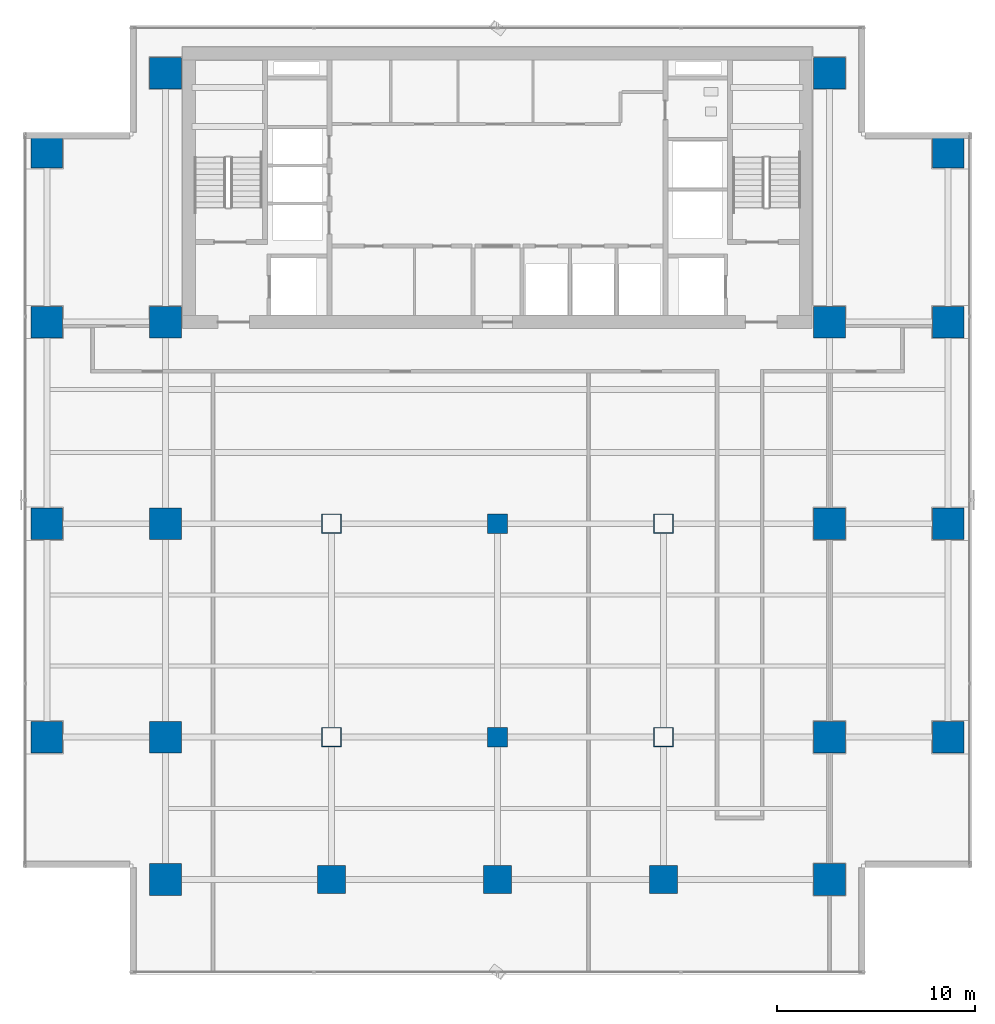
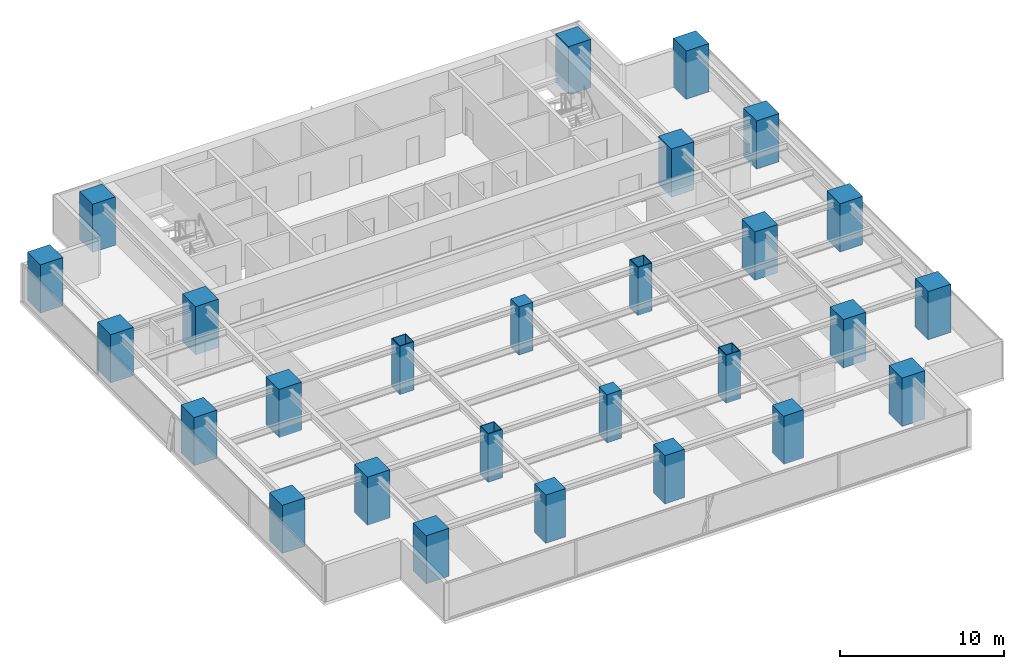
# One storey, part 1 of 27: 27 columns.
"""IFC4 building model written with IfcOpenShell, lengths in metres."""

from ifc_helpers import new_model, si_unit, direction, frame, origin, origin_2d, place, context, subcontext, project, spatial, rectangle, hollow_rectangle, extrude, source, transform, mapped, material, material_profile, profile_set, type_object, element, save


model = new_model("IFC4")

# Units and contexts
model_context = context("Model", 3, precision=1e-05, world=origin(), true_north=direction((0.0, 1.0)))
body_context = subcontext(model_context, "Body", "Model", "MODEL_VIEW")
ifc_project = project(units=[si_unit("LENGTHUNIT", "METRE"), si_unit("AREAUNIT", "SQUARE_METRE"), si_unit("VOLUMEUNIT", "CUBIC_METRE"), si_unit("PLANEANGLEUNIT", "RADIAN"), si_unit("MASSUNIT", "GRAM", prefix="KILO")], contexts=[model_context])

# Site, building, storey
site_placement = place(None, origin())
site = spatial("IfcSite", under=ifc_project, at=site_placement, CompositionType="ELEMENT")
building_placement = place(site_placement, origin())
building = spatial("IfcBuilding", under=site, at=building_placement, Name="Sumidabori Civic Tower", CompositionType="ELEMENT")
storey_placement = place(building_placement, frame((0.0, 0.0, 156.800048828125)))
storey = spatial("IfcBuildingStorey", under=building, at=storey_placement, Name="L40", CompositionType="ELEMENT", Elevation=156.800048828125)

# Columns
ifc_material_1 = material(Name="Concrete C60/75", Category="concrete")
ifc_material_profile_1 = material_profile(ifc_material_1, rectangle(XDim=1.60009765625, YDim=1.60009765625, at=origin_2d()), Name="RC 1600x1600")
ifc_profile_set_1 = profile_set([ifc_material_profile_1], Name="Concrete C60/75")
column_type_1 = type_object("IfcColumnType", Name="CL-MEGA-1600", PredefinedType="COLUMN", material=ifc_profile_set_1)
shared_shape_1 = source(origin(), body_context, "Body", "SweptSolid", [
    extrude(rectangle(XDim=1.60009765625, YDim=1.60009765625, at=origin_2d()), origin(), (0.0, 0.0, 1.0), 3.599853515625),
])
for number, where, z_axis, x_axis, name in (
    (1, (-16.800048828125, -18.0, 0.0), (0.0, 0.0, 1.0), (1.0, 0.0, 0.0), "Column MC-W16-Y18S L40"),
    (2, (-16.800048828125, -10.800048828125, 0.0), (0.0, 0.0, 1.0), (1.0, 0.0, 0.0), "Column MC-W16-Y11S L40"),
    (3, (-16.800048828125, 0.0, 0.0), (0.0, 0.0, 1.0), (1.0, 0.0, 0.0), "Column MC-W16-Y00 L40"),
    (4, (-16.800048828125, 10.199951171875, 0.0), (0.0, 0.0, 1.0), (1.0, 0.0, 0.0), "Column MC-W16-Y10N L40"),
    (5, (-16.800048828125, 22.800048828125, 0.0), (0.0, 0.0, 1.0), (1.0, 0.0, 0.0), "Column MC-W16-Y23N L40"),
    (6, (16.800048828125, -18.0, 0.0), (0.0, 0.0, 1.0), (1.0, 0.0, 0.0), "Column MC-E16-Y18S L40"),
    (7, (16.800048828125, -10.800048828125, 0.0), (0.0, 0.0, 1.0), (1.0, 0.0, 0.0), "Column MC-E16-Y11S L40"),
    (8, (16.800048828125, 0.0, 0.0), (0.0, 0.0, 1.0), (1.0, 0.0, 0.0), "Column MC-E16-Y00 L40"),
    (9, (16.800048828125, 10.199951171875, 0.0), (0.0, 0.0, 1.0), (1.0, 0.0, 0.0), "Column MC-E16-Y10N L40"),
    (10, (16.800048828125, 22.800048828125, 0.0), (0.0, 0.0, 1.0), (1.0, 0.0, 0.0), "Column MC-E16-Y23N L40"),
    (11, (-22.800048828125, -10.800048828125, 0.0), (0.0, 0.0, 1.0), (1.0, 0.0, 0.0), "Column MC-W23-Y11S L40"),
    (12, (-22.800048828125, 0.0, 0.0), (0.0, 0.0, 1.0), (1.0, 0.0, 0.0), "Column MC-W23-Y00 L40"),
    (13, (-22.800048828125, 10.199951171875, 0.0), (0.0, 0.0, 1.0), (1.0, 0.0, 0.0), "Column MC-W23-Y10N L40"),
    (14, (-22.800048828125, 18.800048828125, 0.0), (0.0, 0.0, 1.0), (1.0, 0.0, 0.0), "Column MC-W23-Y19N L40"),
    (15, (22.800048828125, -10.800048828125, 0.0), (0.0, 0.0, 1.0), (1.0, 0.0, 0.0), "Column MC-E23-Y11S L40"),
    (16, (22.800048828125, 0.0, 0.0), (0.0, 0.0, 1.0), (1.0, 0.0, 0.0), "Column MC-E23-Y00 L40"),
    (17, (22.800048828125, 10.199951171875, 0.0), (0.0, 0.0, 1.0), (1.0, 0.0, 0.0), "Column MC-E23-Y10N L40"),
    (18, (22.800048828125, 18.800048828125, 0.0), (0.0, 0.0, 1.0), (1.0, 0.0, 0.0), "Column MC-E23-Y19N L40"),
):
    element("IfcColumn", number, at=place(storey_placement, frame(where, z_axis=z_axis, x_axis=x_axis)), inside=storey, type_object=column_type_1, Name=name, PredefinedType="COLUMN", context=body_context, shape_type="MappedRepresentation", body=[
        mapped(shared_shape_1, transform((0.0, 0.0, 0.0), x_axis=(1.0, 0.0, 0.0), y_axis=(0.0, 1.0, 0.0), z_axis=(0.0, 0.0, 1.0), scale=1.0)),
    ])
ifc_material_2 = material(Name="Steel SM570", Category="steel")
ifc_material_profile_2 = material_profile(ifc_material_2, hollow_rectangle(XDim=1.0, YDim=1.0, WallThickness=0.044921875, at=origin_2d()), Name="SHS 1000x1000x45")
ifc_profile_set_2 = profile_set([ifc_material_profile_2], Name="Steel SM570")
column_type_2 = type_object("IfcColumnType", Name="CL-PORTAL-SHS1000", PredefinedType="COLUMN", material=ifc_profile_set_2)
shared_shape_2 = source(origin(), body_context, "Body", "SweptSolid", [
    extrude(hollow_rectangle(XDim=1.0, YDim=1.0, WallThickness=0.044921875, at=origin_2d()), origin(), (0.0, 0.0, 1.0), 3.599853515625),
])
for number, where, z_axis, x_axis, name in (
    (19, (-8.39990234375, 0.0, 0.0), (0.0, 0.0, 1.0), (1.0, 0.0, 0.0), "Column MC-W08-Y00 L40"),
    (20, (-8.39990234375, -10.800048828125, 0.0), (0.0, 0.0, 1.0), (1.0, 0.0, 0.0), "Column MC-W08-Y11S L40"),
    (21, (8.39990234375, 0.0, 0.0), (0.0, 0.0, 1.0), (1.0, 0.0, 0.0), "Column MC-E08-Y00 L40"),
    (22, (8.39990234375, -10.800048828125, 0.0), (0.0, 0.0, 1.0), (1.0, 0.0, 0.0), "Column MC-E08-Y11S L40"),
):
    element("IfcColumn", number, at=place(storey_placement, frame(where, z_axis=z_axis, x_axis=x_axis)), inside=storey, type_object=column_type_2, Name=name, PredefinedType="COLUMN", context=body_context, shape_type="MappedRepresentation", body=[
        mapped(shared_shape_2, transform((0.0, 0.0, 0.0), x_axis=(1.0, 0.0, 0.0), y_axis=(0.0, 1.0, 0.0), z_axis=(0.0, 0.0, 1.0), scale=1.0)),
    ])
ifc_material_profile_3 = material_profile(ifc_material_1, rectangle(XDim=1.39990234375, YDim=1.39990234375, at=origin_2d()), Name="RC 1400x1400")
ifc_profile_set_3 = profile_set([ifc_material_profile_3], Name="Concrete C60/75")
column_type_3 = type_object("IfcColumnType", Name="CL-MEGA-1400", PredefinedType="COLUMN", material=ifc_profile_set_3)
shared_shape_3 = source(origin(), body_context, "Body", "SweptSolid", [
    extrude(rectangle(XDim=1.39990234375, YDim=1.39990234375, at=origin_2d()), origin(), (0.0, 0.0, 1.0), 3.599853515625),
])
for number, where, z_axis, x_axis, name in (
    (23, (-8.39990234375, -18.0, 0.0), (0.0, 0.0, 1.0), (1.0, 0.0, 0.0), "Column MC-W08-Y18S L40"),
    (24, (8.39990234375, -18.0, 0.0), (0.0, 0.0, 1.0), (1.0, 0.0, 0.0), "Column MC-E08-Y18S L40"),
    (25, (0.0, -18.0, 0.0), (0.0, 0.0, 1.0), (1.0, 0.0, 0.0), "Column MC-C00-Y18S L40"),
):
    element("IfcColumn", number, at=place(storey_placement, frame(where, z_axis=z_axis, x_axis=x_axis)), inside=storey, type_object=column_type_3, Name=name, PredefinedType="COLUMN", context=body_context, shape_type="MappedRepresentation", body=[
        mapped(shared_shape_3, transform((0.0, 0.0, 0.0), x_axis=(1.0, 0.0, 0.0), y_axis=(0.0, 1.0, 0.0), z_axis=(0.0, 0.0, 1.0), scale=1.0)),
    ])
ifc_material_3 = material(Name="Concrete C50/60", Category="concrete")
ifc_material_profile_4 = material_profile(ifc_material_3, rectangle(XDim=1.0, YDim=1.0, at=origin_2d()), Name="RC 1000x1000")
ifc_profile_set_4 = profile_set([ifc_material_profile_4], Name="Concrete C50/60")
column_type_4 = type_object("IfcColumnType", Name="CL-INT-1000", PredefinedType="COLUMN", material=ifc_profile_set_4)
shared_shape_4 = source(origin(), body_context, "Body", "SweptSolid", [
    extrude(rectangle(XDim=1.0, YDim=1.0, at=origin_2d()), origin(), (0.0, 0.0, 1.0), 3.599853515625),
])
for number, where, z_axis, x_axis, name in (
    (26, (0.0, -10.800048828125, 0.0), (0.0, 0.0, 1.0), (1.0, 0.0, 0.0), "Column MC-C00-Y11S L40"),
    (27, (0.0, 0.0, 0.0), (0.0, 0.0, 1.0), (1.0, 0.0, 0.0), "Column MC-C00-Y00 L40"),
):
    element("IfcColumn", number, at=place(storey_placement, frame(where, z_axis=z_axis, x_axis=x_axis)), inside=storey, type_object=column_type_4, Name=name, PredefinedType="COLUMN", context=body_context, shape_type="MappedRepresentation", body=[
        mapped(shared_shape_4, transform((0.0, 0.0, 0.0), x_axis=(1.0, 0.0, 0.0), y_axis=(0.0, 1.0, 0.0), z_axis=(0.0, 0.0, 1.0), scale=1.0)),
    ])

save(model, "model.ifc")
